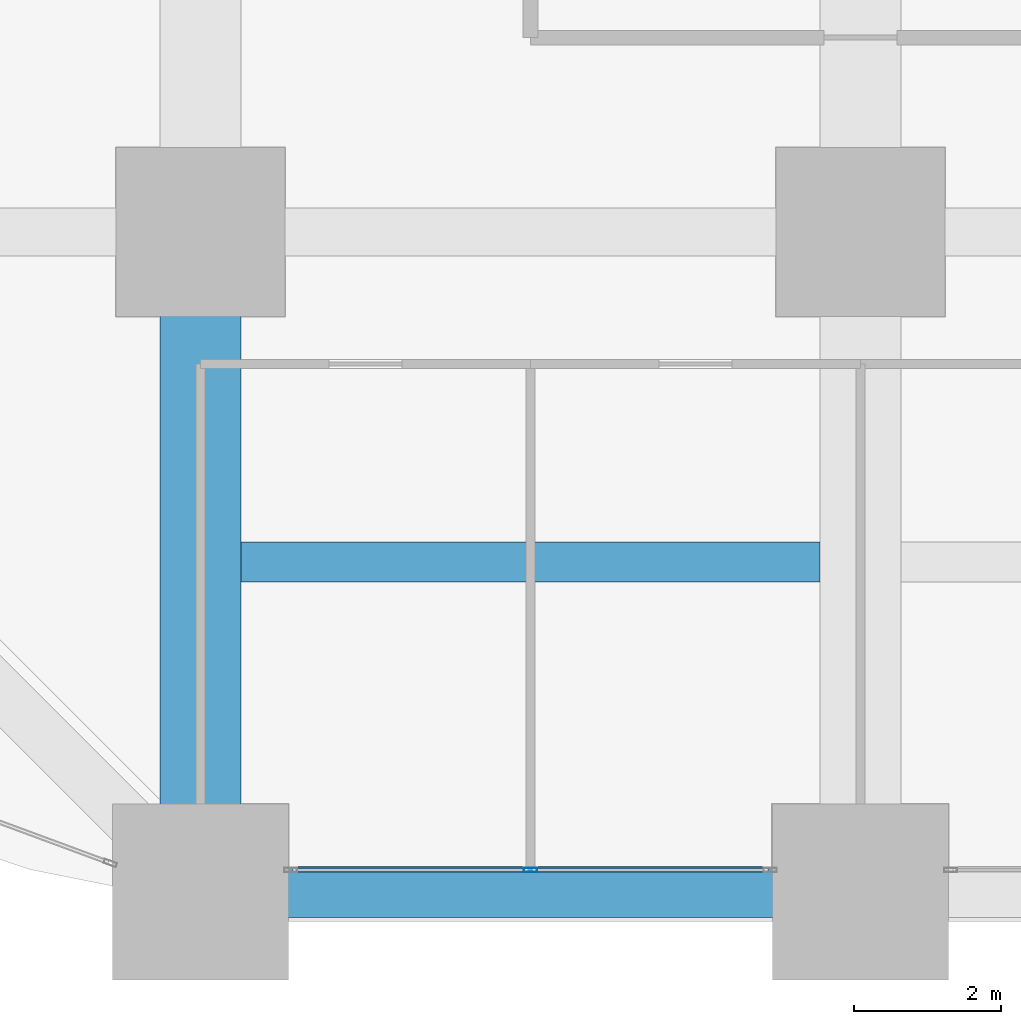
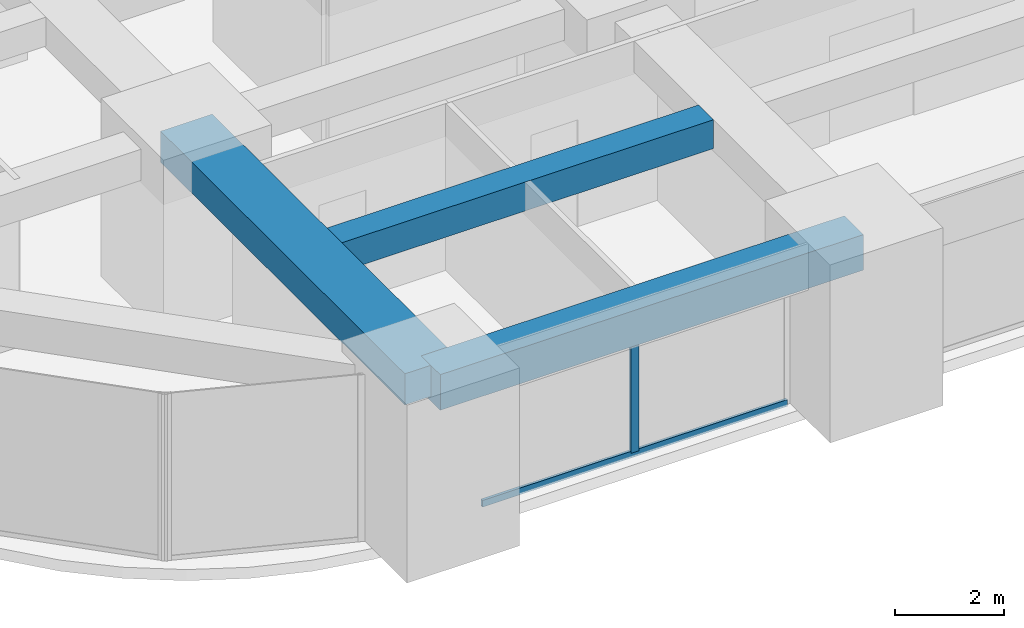
# One storey, part 3 of 44: 3 beams, 2 members, 1 element without a shape of its own.
"""IFC4 building model written with IfcOpenShell, lengths in metres."""

from ifc_helpers import new_model, si_unit, direction, frame, origin, origin_2d, place, context, subcontext, project, spatial, rectangle, hollow_rectangle, extrude, material, material_profile, profile_set, type_object, element, aggregate, save


model = new_model("IFC4")

# Units and contexts
model_context = context("Model", 3, precision=1e-05, world=origin(), true_north=direction((0.0, 1.0)))
body_context = subcontext(model_context, "Body", "Model", "MODEL_VIEW")
ifc_project = project(units=[si_unit("LENGTHUNIT", "METRE"), si_unit("AREAUNIT", "SQUARE_METRE"), si_unit("VOLUMEUNIT", "CUBIC_METRE"), si_unit("PLANEANGLEUNIT", "RADIAN"), si_unit("MASSUNIT", "GRAM", prefix="KILO")], contexts=[model_context])

# Site, building, storey
site_placement = place(None, origin())
site = spatial("IfcSite", under=ifc_project, at=site_placement, CompositionType="ELEMENT")
building_placement = place(site_placement, origin())
building = spatial("IfcBuilding", under=site, at=building_placement, Name="Zorevar Civic Tower", CompositionType="ELEMENT")
storey_placement = place(building_placement, frame((0.0, 0.0, 31.800048828125)))
storey = spatial("IfcBuildingStorey", under=building, at=storey_placement, Name="L07", CompositionType="ELEMENT", Elevation=31.800048828125)

# Beams
ifc_material_1 = material(Name="Concrete C50/60", Category="concrete")
ifc_material_profile_1 = material_profile(ifc_material_1, rectangle(XDim=1.10009765625, YDim=0.699951171875, at=origin_2d()), Name="RC 1100x700")
ifc_profile_set_1 = profile_set([ifc_material_profile_1], Name="Concrete C50/60")
beam_type_1 = type_object("IfcBeamType", Name="Beam RC 1100x700", PredefinedType="BEAM", material=ifc_profile_set_1)
beam_1_placement = place(storey_placement, frame((9.0, 0.0, 3.39990234375), z_axis=(0.0, 1.0, 0.0), x_axis=(-1.0, 0.0, 0.0)))
element("IfcBeam", 1, at=beam_1_placement, inside=storey, type_object=beam_type_1, Name="Girder L08", PredefinedType="BEAM", context=body_context, shape_type="SweptSolid", body=[
    extrude(rectangle(XDim=1.10009765625, YDim=0.699951171875, at=origin_2d()), origin(), (0.0, 0.0, 1.0), 9.0),
])
ifc_material_2 = material(Name="Concrete C50/60", Category="concrete")
ifc_material_profile_2 = material_profile(ifc_material_2, rectangle(XDim=0.550048828125, YDim=0.64990234375, at=origin_2d()), Name="RC 550x650")
ifc_profile_set_2 = profile_set([ifc_material_profile_2], Name="Concrete C50/60")
beam_type_2 = type_object("IfcBeamType", Name="Beam RC 550x650", PredefinedType="BEAM", material=ifc_profile_set_2)
beam_2_placement = place(storey_placement, frame((9.550048828125, 4.5, 3.425048828125), z_axis=(1.0, 0.0, 0.0), x_axis=(0.0, 1.0, 0.0)))
element("IfcBeam", 2, at=beam_2_placement, inside=storey, type_object=beam_type_2, Name="Secondary beam L08", PredefinedType="BEAM", context=body_context, shape_type="SweptSolid", body=[
    extrude(rectangle(XDim=0.550048828125, YDim=0.64990234375, at=origin_2d()), origin(), (0.0, 0.0, 1.0), 7.89990234375),
])

# Curtain wall, members
ifc_material_3 = material(Name="Dark grey solar-control glass in black aluminium frame", Category="aluminium")
curtain_wall_type = type_object("IfcCurtainWallType", Name="Curtain wall CW2 low zone", PredefinedType="NOTDEFINED", material=ifc_material_3)
curtain_wall_placement = place(storey_placement, origin())
curtain_wall = element("IfcCurtainWall", 3, at=curtain_wall_placement, inside=storey, type_object=curtain_wall_type, Name="CW2 L07", PredefinedType="NOTDEFINED")
ifc_material_4 = material(Name="Aluminium, black anodised", Category="aluminium")
ifc_material_profile_3 = material_profile(ifc_material_4, hollow_rectangle(XDim=0.06005859375, YDim=0.179931640625, WallThickness=0.00390625, at=origin_2d()), Name="AL 180x60x4")
ifc_profile_set_3 = profile_set([ifc_material_profile_3], Name="Aluminium, black anodised")
member_type_1 = type_object("IfcMemberType", Name="CW2 mullion AL 180x60x4", PredefinedType="MULLION", material=ifc_profile_set_3)
member_1_placement = place(storey_placement, frame((13.5, 0.300048828125, 0.06005859375), z_axis=(0.0, 0.0, 1.0), x_axis=(0.0, 1.0, 0.0)))
member_1 = element("IfcMember", 4, at=member_1_placement, type_object=member_type_1, Name="CW2 mullion 2", PredefinedType="MULLION", context=body_context, shape_type="SweptSolid", body=[
    extrude(hollow_rectangle(XDim=0.06005859375, YDim=0.179931640625, WallThickness=0.00390625, at=origin_2d()), origin(), (0.0, 0.0, 1.0), 2.889892578125),
])
ifc_material_5 = material(Name="Aluminium, black anodised", Category="aluminium")
ifc_material_profile_4 = material_profile(ifc_material_5, hollow_rectangle(XDim=0.06005859375, YDim=0.14990234375, WallThickness=0.00390625, at=origin_2d()), Name="AL 150x60x4")
ifc_profile_set_4 = profile_set([ifc_material_profile_4], Name="Aluminium, black anodised")
member_type_2 = type_object("IfcMemberType", Name="CW2 transom AL 150x60x4", PredefinedType="USERDEFINED", material=ifc_profile_set_4)
member_2_placement = place(storey_placement, frame((10.260009765625, 0.300048828125, 0.030029296875), z_axis=(1.0, 0.0, 0.0), x_axis=(0.0, 1.0, 0.0)))
member_2 = element("IfcMember", 5, at=member_2_placement, type_object=member_type_2, Name="CW2 sill transom", ObjectType="TRANSOM", PredefinedType="USERDEFINED", context=body_context, shape_type="SweptSolid", body=[
    extrude(hollow_rectangle(XDim=0.06005859375, YDim=0.14990234375, WallThickness=0.00390625, at=origin_2d()), origin(), (0.0, 0.0, 1.0), 6.47998046875),
])
aggregate(curtain_wall, [member_1, member_2])

# Beam
ifc_material_6 = material(Name="Concrete C50/60", Category="concrete")
ifc_material_profile_5 = material_profile(ifc_material_6, rectangle(XDim=0.699951171875, YDim=0.800048828125, at=origin_2d()), Name="RC 700x800")
ifc_profile_set_5 = profile_set([ifc_material_profile_5], Name="Concrete C50/60")
beam_type_3 = type_object("IfcBeamType", Name="Edge beam RC 700x800", PredefinedType="SPANDREL", material=ifc_profile_set_5)
beam_3_placement = place(storey_placement, frame((9.0, 0.0, 3.349853515625), z_axis=(1.0, 0.0, 0.0), x_axis=(0.0, 1.0, 0.0)))
element("IfcBeam", 6, at=beam_3_placement, inside=storey, type_object=beam_type_3, Name="Edge beam L08", PredefinedType="SPANDREL", context=body_context, shape_type="SweptSolid", body=[
    extrude(rectangle(XDim=0.699951171875, YDim=0.800048828125, at=origin_2d()), origin(), (0.0, 0.0, 1.0), 9.0),
])

save(model, "model.ifc")
